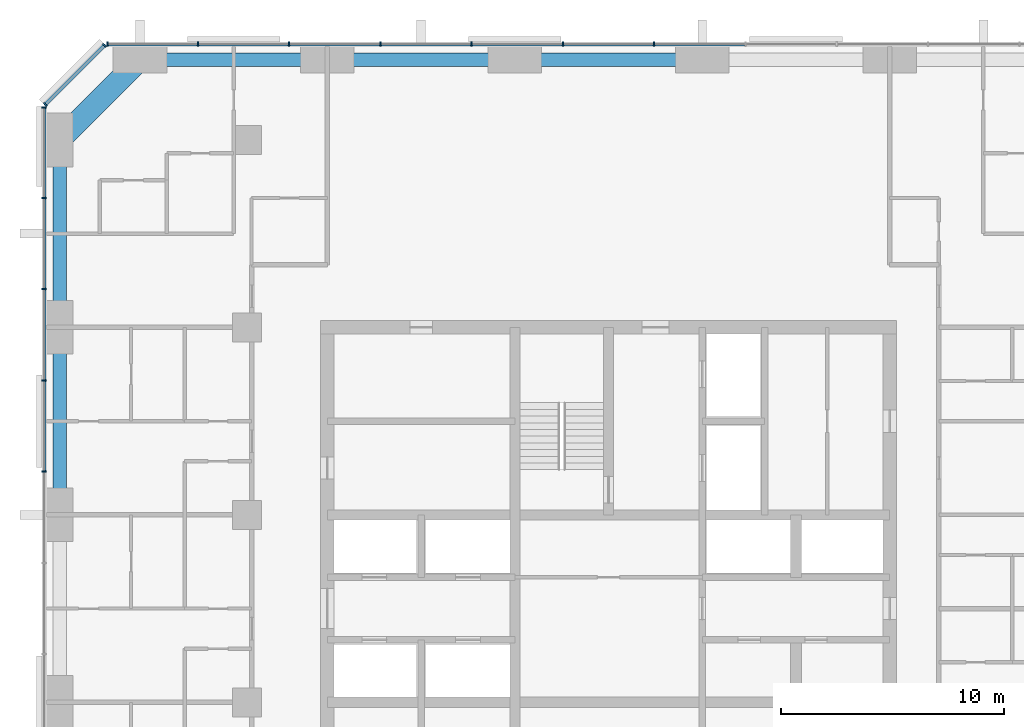
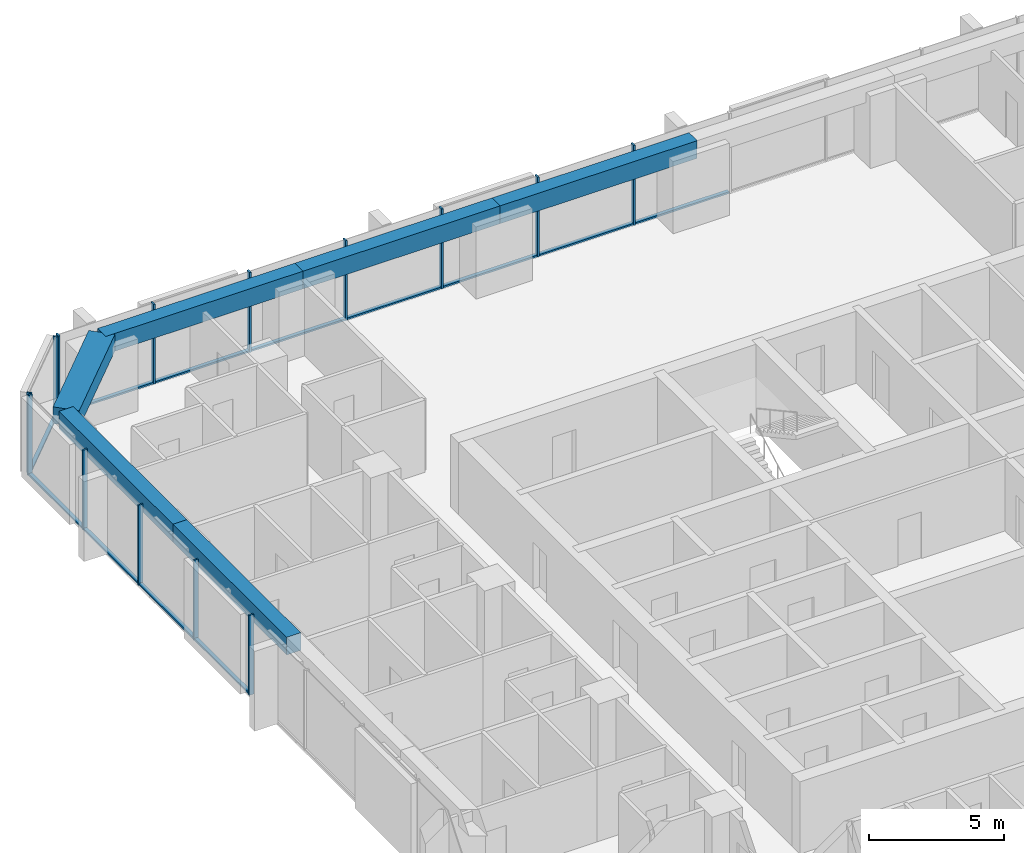
# One storey, part 5 of 14: 26 members, 6 beams, 3 elements without a shape of their own.
"""IFC4 building model written with IfcOpenShell, lengths in metres."""

from ifc_helpers import new_model, si_unit, direction, frame, origin, origin_2d, place, context, subcontext, project, spatial, rectangle, extrude, material, material_profile, profile_set, type_object, element, aggregate, save


model = new_model("IFC4")

# Units and contexts
model_context = context("Model", 3, precision=1e-05, world=origin(), true_north=direction((0.0, 1.0)))
body_context = subcontext(model_context, "Body", "Model", "MODEL_VIEW")
ifc_project = project(units=[si_unit("LENGTHUNIT", "METRE"), si_unit("AREAUNIT", "SQUARE_METRE"), si_unit("VOLUMEUNIT", "CUBIC_METRE"), si_unit("PLANEANGLEUNIT", "RADIAN"), si_unit("MASSUNIT", "GRAM", prefix="KILO")], contexts=[model_context])

# Site, building, storey
site_placement = place(None, origin())
site = spatial("IfcSite", under=ifc_project, at=site_placement, CompositionType="ELEMENT")
building_placement = place(site_placement, origin())
building = spatial("IfcBuilding", under=site, at=building_placement, Name="Dunama Terrace Hotel", CompositionType="ELEMENT")
storey_placement = place(building_placement, frame((0.0, 0.0, 198.60009765625)))
storey = spatial("IfcBuildingStorey", under=building, at=storey_placement, Name="L51", CompositionType="ELEMENT", Elevation=198.60009765625)

# Curtain wall, members
ifc_material_1 = material(Name="Aluminium curtain wall system", Category="aluminium")
curtain_wall_type = type_object("IfcCurtainWallType", Name="Unitised fritted glass wall CW-C", PredefinedType="NOTDEFINED", material=ifc_material_1)
curtain_wall_1_placement = place(storey_placement, origin())
curtain_wall_1 = element("IfcCurtainWall", 1, at=curtain_wall_1_placement, inside=storey, type_object=curtain_wall_type, Name="Unitised fritted glass wall CW-C L51", PredefinedType="NOTDEFINED")
ifc_material_2 = material(Name="Aluminium mullion", Category="aluminium")
ifc_material_profile_1 = material_profile(ifc_material_2, rectangle(XDim=0.070068359375, YDim=0.199951171875, at=origin_2d()), Name="CWC MULLION 70X200")
ifc_profile_set_1 = profile_set([ifc_material_profile_1], Name="Aluminium mullion")
member_type_1 = type_object("IfcMemberType", Name="CWC mullion 70x200", PredefinedType="MULLION", material=ifc_profile_set_1)
member_1_placement = place(storey_placement, frame((31.445068359375, 54.699951171875, 0.0), z_axis=(0.0, 0.0, 1.0), x_axis=(-1.0, 0.0, 0.0)))
member_1 = element("IfcMember", 2, at=member_1_placement, type_object=member_type_1, Name="CWC mullion", PredefinedType="MULLION", context=body_context, shape_type="SweptSolid", body=[
    extrude(rectangle(XDim=0.070068359375, YDim=0.199951171875, at=origin_2d()), origin(), (0.0, 0.0, 1.0), 3.599853515625),
])
member_2_placement = place(storey_placement, frame((27.35498046875, 54.699951171875, 0.0), z_axis=(0.0, 0.0, 1.0), x_axis=(-1.0, 0.0, 0.0)))
member_2 = element("IfcMember", 3, at=member_2_placement, type_object=member_type_1, Name="CWC mullion", PredefinedType="MULLION", context=body_context, shape_type="SweptSolid", body=[
    extrude(rectangle(XDim=0.070068359375, YDim=0.199951171875, at=origin_2d()), origin(), (0.0, 0.0, 1.0), 3.599853515625),
])
member_3_placement = place(storey_placement, frame((23.263916015625, 54.699951171875, 0.0), z_axis=(0.0, 0.0, 1.0), x_axis=(-1.0, 0.0, 0.0)))
member_3 = element("IfcMember", 4, at=member_3_placement, type_object=member_type_1, Name="CWC mullion", PredefinedType="MULLION", context=body_context, shape_type="SweptSolid", body=[
    extrude(rectangle(XDim=0.070068359375, YDim=0.199951171875, at=origin_2d()), origin(), (0.0, 0.0, 1.0), 3.599853515625),
])
member_4_placement = place(storey_placement, frame((19.173095703125, 54.699951171875, 0.0), z_axis=(0.0, 0.0, 1.0), x_axis=(-1.0, 0.0, 0.0)))
member_4 = element("IfcMember", 5, at=member_4_placement, type_object=member_type_1, Name="CWC mullion", PredefinedType="MULLION", context=body_context, shape_type="SweptSolid", body=[
    extrude(rectangle(XDim=0.070068359375, YDim=0.199951171875, at=origin_2d()), origin(), (0.0, 0.0, 1.0), 3.599853515625),
])
member_5_placement = place(storey_placement, frame((15.08203125, 54.699951171875, 0.0), z_axis=(0.0, 0.0, 1.0), x_axis=(-1.0, 0.0, 0.0)))
member_5 = element("IfcMember", 6, at=member_5_placement, type_object=member_type_1, Name="CWC mullion", PredefinedType="MULLION", context=body_context, shape_type="SweptSolid", body=[
    extrude(rectangle(XDim=0.070068359375, YDim=0.199951171875, at=origin_2d()), origin(), (0.0, 0.0, 1.0), 3.599853515625),
])
member_6_placement = place(storey_placement, frame((10.990966796875, 54.699951171875, 0.0), z_axis=(0.0, 0.0, 1.0), x_axis=(-1.0, 0.0, 0.0)))
member_6 = element("IfcMember", 7, at=member_6_placement, type_object=member_type_1, Name="CWC mullion", PredefinedType="MULLION", context=body_context, shape_type="SweptSolid", body=[
    extrude(rectangle(XDim=0.070068359375, YDim=0.199951171875, at=origin_2d()), origin(), (0.0, 0.0, 1.0), 3.599853515625),
])
member_7_placement = place(storey_placement, frame((6.93505859375, 54.699951171875, 0.0), z_axis=(0.0, 0.0, 1.0), x_axis=(-1.0, 0.0, 0.0)))
member_7 = element("IfcMember", 8, at=member_7_placement, type_object=member_type_1, Name="CWC mullion", PredefinedType="MULLION", context=body_context, shape_type="SweptSolid", body=[
    extrude(rectangle(XDim=0.070068359375, YDim=0.199951171875, at=origin_2d()), origin(), (0.0, 0.0, 1.0), 3.599853515625),
])

curtain_wall_2_placement = place(storey_placement, origin())
curtain_wall_2 = element("IfcCurtainWall", 9, at=curtain_wall_2_placement, inside=storey, type_object=curtain_wall_type, Name="Unitised fritted glass wall CW-C L51", PredefinedType="NOTDEFINED")
member_8_placement = place(storey_placement, frame((6.804931640625, 54.64599609375, 0.0), z_axis=(0.0, 0.0, 1.0), x_axis=(-0.707106781187, -0.707106781187, 0.0)))
member_8 = element("IfcMember", 10, at=member_8_placement, type_object=member_type_1, Name="CWC mullion", PredefinedType="MULLION", context=body_context, shape_type="SweptSolid", body=[
    extrude(rectangle(XDim=0.070068359375, YDim=0.199951171875, at=origin_2d()), origin(), (0.0, 0.0, 1.0), 3.599853515625),
])
member_9_placement = place(storey_placement, frame((4.154052734375, 51.9951171875, 0.0), z_axis=(0.0, 0.0, 1.0), x_axis=(-0.707106781187, -0.707106781187, 0.0)))
member_9 = element("IfcMember", 11, at=member_9_placement, type_object=member_type_1, Name="CWC mullion", PredefinedType="MULLION", context=body_context, shape_type="SweptSolid", body=[
    extrude(rectangle(XDim=0.070068359375, YDim=0.199951171875, at=origin_2d()), origin(), (0.0, 0.0, 1.0), 3.599853515625),
])

curtain_wall_3_placement = place(storey_placement, origin())
curtain_wall_3 = element("IfcCurtainWall", 12, at=curtain_wall_3_placement, inside=storey, type_object=curtain_wall_type, Name="Unitised fritted glass wall CW-C L51", PredefinedType="NOTDEFINED")
member_10_placement = place(storey_placement, frame((4.10009765625, 51.864990234375, 0.0), z_axis=(0.0, 0.0, 1.0), x_axis=(0.0, -1.0, 0.0)))
member_10 = element("IfcMember", 13, at=member_10_placement, type_object=member_type_1, Name="CWC mullion", PredefinedType="MULLION", context=body_context, shape_type="SweptSolid", body=[
    extrude(rectangle(XDim=0.070068359375, YDim=0.199951171875, at=origin_2d()), origin(), (0.0, 0.0, 1.0), 3.599853515625),
])
member_11_placement = place(storey_placement, frame((4.10009765625, 47.80908203125, 0.0), z_axis=(0.0, 0.0, 1.0), x_axis=(0.0, -1.0, 0.0)))
member_11 = element("IfcMember", 14, at=member_11_placement, type_object=member_type_1, Name="CWC mullion", PredefinedType="MULLION", context=body_context, shape_type="SweptSolid", body=[
    extrude(rectangle(XDim=0.070068359375, YDim=0.199951171875, at=origin_2d()), origin(), (0.0, 0.0, 1.0), 3.599853515625),
])
member_12_placement = place(storey_placement, frame((4.10009765625, 43.718017578125, 0.0), z_axis=(0.0, 0.0, 1.0), x_axis=(0.0, -1.0, 0.0)))
member_12 = element("IfcMember", 15, at=member_12_placement, type_object=member_type_1, Name="CWC mullion", PredefinedType="MULLION", context=body_context, shape_type="SweptSolid", body=[
    extrude(rectangle(XDim=0.070068359375, YDim=0.199951171875, at=origin_2d()), origin(), (0.0, 0.0, 1.0), 3.599853515625),
])
member_13_placement = place(storey_placement, frame((4.10009765625, 39.626953125, 0.0), z_axis=(0.0, 0.0, 1.0), x_axis=(0.0, -1.0, 0.0)))
member_13 = element("IfcMember", 16, at=member_13_placement, type_object=member_type_1, Name="CWC mullion", PredefinedType="MULLION", context=body_context, shape_type="SweptSolid", body=[
    extrude(rectangle(XDim=0.070068359375, YDim=0.199951171875, at=origin_2d()), origin(), (0.0, 0.0, 1.0), 3.599853515625),
])
member_14_placement = place(storey_placement, frame((4.10009765625, 35.535888671875, 0.0), z_axis=(0.0, 0.0, 1.0), x_axis=(0.0, -1.0, 0.0)))
member_14 = element("IfcMember", 17, at=member_14_placement, type_object=member_type_1, Name="CWC mullion", PredefinedType="MULLION", context=body_context, shape_type="SweptSolid", body=[
    extrude(rectangle(XDim=0.070068359375, YDim=0.199951171875, at=origin_2d()), origin(), (0.0, 0.0, 1.0), 3.599853515625),
])

# Member
ifc_material_3 = material(Name="Aluminium transom", Category="aluminium")
ifc_material_profile_2 = material_profile(ifc_material_3, rectangle(XDim=0.159912109375, YDim=0.080078125, at=origin_2d()), Name="CWC TRANSOM 160X80")
ifc_profile_set_2 = profile_set([ifc_material_profile_2], Name="Aluminium transom")
member_type_2 = type_object("IfcMemberType", Name="CWC transom 160x80", PredefinedType="USERDEFINED", material=ifc_profile_set_2)
member_15_placement = place(storey_placement, frame((35.5009765625, 54.699951171875, 0.039794921875), z_axis=(-1.0, 0.0, 0.0), x_axis=(0.0, -1.0, 0.0)))
member_15 = element("IfcMember", 18, at=member_15_placement, type_object=member_type_2, Name="CWC transom", ObjectType="TRANSOM", PredefinedType="USERDEFINED", context=body_context, shape_type="SweptSolid", body=[
    extrude(rectangle(XDim=0.159912109375, YDim=0.080078125, at=origin_2d()), origin(), (0.0, 0.0, 1.0), 4.02099609375),
])

member_16_placement = place(storey_placement, frame((31.409912109375, 54.699951171875, 0.039794921875), z_axis=(-1.0, 0.0, 0.0), x_axis=(0.0, -1.0, 0.0)))
member_16 = element("IfcMember", 19, at=member_16_placement, type_object=member_type_2, Name="CWC transom", ObjectType="TRANSOM", PredefinedType="USERDEFINED", context=body_context, shape_type="SweptSolid", body=[
    extrude(rectangle(XDim=0.159912109375, YDim=0.080078125, at=origin_2d()), origin(), (0.0, 0.0, 1.0), 4.02001953125),
])

member_17_placement = place(storey_placement, frame((27.320068359375, 54.699951171875, 0.039794921875), z_axis=(-1.0, 0.0, 0.0), x_axis=(0.0, -1.0, 0.0)))
member_17 = element("IfcMember", 20, at=member_17_placement, type_object=member_type_2, Name="CWC transom", ObjectType="TRANSOM", PredefinedType="USERDEFINED", context=body_context, shape_type="SweptSolid", body=[
    extrude(rectangle(XDim=0.159912109375, YDim=0.080078125, at=origin_2d()), origin(), (0.0, 0.0, 1.0), 4.02099609375),
])

member_18_placement = place(storey_placement, frame((23.22900390625, 54.699951171875, 0.039794921875), z_axis=(-1.0, 0.0, 0.0), x_axis=(0.0, -1.0, 0.0)))
member_18 = element("IfcMember", 21, at=member_18_placement, type_object=member_type_2, Name="CWC transom", ObjectType="TRANSOM", PredefinedType="USERDEFINED", context=body_context, shape_type="SweptSolid", body=[
    extrude(rectangle(XDim=0.159912109375, YDim=0.080078125, at=origin_2d()), origin(), (0.0, 0.0, 1.0), 4.02099609375),
])

member_19_placement = place(storey_placement, frame((19.137939453125, 54.699951171875, 0.039794921875), z_axis=(-1.0, 0.0, 0.0), x_axis=(0.0, -1.0, 0.0)))
member_19 = element("IfcMember", 22, at=member_19_placement, type_object=member_type_2, Name="CWC transom", ObjectType="TRANSOM", PredefinedType="USERDEFINED", context=body_context, shape_type="SweptSolid", body=[
    extrude(rectangle(XDim=0.159912109375, YDim=0.080078125, at=origin_2d()), origin(), (0.0, 0.0, 1.0), 4.02099609375),
])

member_20_placement = place(storey_placement, frame((15.047119140625, 54.699951171875, 0.039794921875), z_axis=(-1.0, 0.0, 0.0), x_axis=(0.0, -1.0, 0.0)))
member_20 = element("IfcMember", 23, at=member_20_placement, type_object=member_type_2, Name="CWC transom", ObjectType="TRANSOM", PredefinedType="USERDEFINED", context=body_context, shape_type="SweptSolid", body=[
    extrude(rectangle(XDim=0.159912109375, YDim=0.080078125, at=origin_2d()), origin(), (0.0, 0.0, 1.0), 4.021240234375),
])

member_21_placement = place(storey_placement, frame((10.9560546875, 54.699951171875, 0.039794921875), z_axis=(-1.0, 0.0, 0.0), x_axis=(0.0, -1.0, 0.0)))
member_21 = element("IfcMember", 24, at=member_21_placement, type_object=member_type_2, Name="CWC transom", ObjectType="TRANSOM", PredefinedType="USERDEFINED", context=body_context, shape_type="SweptSolid", body=[
    extrude(rectangle(XDim=0.159912109375, YDim=0.080078125, at=origin_2d()), origin(), (0.0, 0.0, 1.0), 3.986083984375),
])

aggregate(curtain_wall_1, [member_1, member_2, member_3, member_4, member_5, member_6, member_7, member_15, member_16, member_17, member_18, member_19, member_20, member_21])

member_22_placement = place(storey_placement, frame((6.780029296875, 54.62109375, 0.039794921875), z_axis=(-0.707106781187, -0.707106781187, 0.0), x_axis=(0.707106781187, -0.707106781187, 0.0)))
member_22 = element("IfcMember", 25, at=member_22_placement, type_object=member_type_2, Name="CWC transom", ObjectType="TRANSOM", PredefinedType="USERDEFINED", context=body_context, shape_type="SweptSolid", body=[
    extrude(rectangle(XDim=0.159912109375, YDim=0.080078125, at=origin_2d()), origin(), (0.0, 0.0, 1.0), 3.678466796875),
])

aggregate(curtain_wall_2, [member_8, member_9, member_22])

member_23_placement = place(storey_placement, frame((4.10009765625, 51.830078125, 0.039794921875), z_axis=(0.0, -1.0, 0.0), x_axis=(1.0, 0.0, 0.0)))
member_23 = element("IfcMember", 26, at=member_23_placement, type_object=member_type_2, Name="CWC transom", ObjectType="TRANSOM", PredefinedType="USERDEFINED", context=body_context, shape_type="SweptSolid", body=[
    extrude(rectangle(XDim=0.159912109375, YDim=0.080078125, at=origin_2d()), origin(), (0.0, 0.0, 1.0), 3.986083984375),
])

member_24_placement = place(storey_placement, frame((4.10009765625, 47.77392578125, 0.039794921875), z_axis=(0.0, -1.0, 0.0), x_axis=(1.0, 0.0, 0.0)))
member_24 = element("IfcMember", 27, at=member_24_placement, type_object=member_type_2, Name="CWC transom", ObjectType="TRANSOM", PredefinedType="USERDEFINED", context=body_context, shape_type="SweptSolid", body=[
    extrude(rectangle(XDim=0.159912109375, YDim=0.080078125, at=origin_2d()), origin(), (0.0, 0.0, 1.0), 4.02099609375),
])

member_25_placement = place(storey_placement, frame((4.10009765625, 43.68310546875, 0.039794921875), z_axis=(0.0, -1.0, 0.0), x_axis=(1.0, 0.0, 0.0)))
member_25 = element("IfcMember", 28, at=member_25_placement, type_object=member_type_2, Name="CWC transom", ObjectType="TRANSOM", PredefinedType="USERDEFINED", context=body_context, shape_type="SweptSolid", body=[
    extrude(rectangle(XDim=0.159912109375, YDim=0.080078125, at=origin_2d()), origin(), (0.0, 0.0, 1.0), 4.02099609375),
])

member_26_placement = place(storey_placement, frame((4.10009765625, 39.592041015625, 0.039794921875), z_axis=(0.0, -1.0, 0.0), x_axis=(1.0, 0.0, 0.0)))
member_26 = element("IfcMember", 29, at=member_26_placement, type_object=member_type_2, Name="CWC transom", ObjectType="TRANSOM", PredefinedType="USERDEFINED", context=body_context, shape_type="SweptSolid", body=[
    extrude(rectangle(XDim=0.159912109375, YDim=0.080078125, at=origin_2d()), origin(), (0.0, 0.0, 1.0), 4.02099609375),
])

aggregate(curtain_wall_3, [member_10, member_11, member_12, member_13, member_14, member_23, member_24, member_25, member_26])

# Beams
ifc_material_4 = material(Name="Concrete C50/60", Category="concrete")
ifc_material_profile_3 = material_profile(ifc_material_4, rectangle(XDim=1.0, YDim=0.75, at=origin_2d()), Name="RC 1000x750")
ifc_profile_set_3 = profile_set([ifc_material_profile_3], Name="Concrete C50/60")
beam_type_1 = type_object("IfcBeamType", Name="Edge beam RC 1000x750", PredefinedType="SPANDREL", material=ifc_profile_set_3)
beam_1_placement = place(storey_placement, frame((8.39990234375, 54.0, 3.224853515625), z_axis=(-0.707082803744, -0.707130757816, 0.0), x_axis=(0.707130757816, -0.707082803744, 0.0)))
element("IfcBeam", 30, at=beam_1_placement, inside=storey, type_object=beam_type_1, Name="Corner edge beam under L52", PredefinedType="SPANDREL", context=body_context, shape_type="SweptSolid", body=[
    extrude(rectangle(XDim=1.0, YDim=0.75, at=origin_2d()), origin(), (0.0, 0.0, 1.0), 5.091064453125),
])
ifc_material_5 = material(Name="Concrete C40/50", Category="concrete")
ifc_material_profile_4 = material_profile(ifc_material_5, rectangle(XDim=0.60009765625, YDim=0.800048828125, at=origin_2d()), Name="RC 600x800")
ifc_profile_set_4 = profile_set([ifc_material_profile_4], Name="Concrete C40/50")
beam_type_2 = type_object("IfcBeamType", Name="Edge beam RC 600x800", PredefinedType="SPANDREL", material=ifc_profile_set_4)
for number, where, z_axis, x_axis, name in (
    (31, (4.800048828125, 33.60009765625, 3.199951171875), (0.0, 1.0, 0.0), (-1.0, 0.0, 0.0), "Edge beam under L52"),
    (32, (4.800048828125, 42.0, 3.199951171875), (0.0, 1.0, 0.0), (-1.0, 0.0, 0.0), "Edge beam under L52"),
):
    element("IfcBeam", number, at=place(storey_placement, frame(where, z_axis=z_axis, x_axis=x_axis)), inside=storey, type_object=beam_type_2, Name=name, PredefinedType="SPANDREL", context=body_context, shape_type="SweptSolid", body=[
        extrude(rectangle(XDim=0.60009765625, YDim=0.800048828125, at=origin_2d()), origin(), (0.0, 0.0, 1.0), 8.39990234375),
    ])
beam_2_placement = place(storey_placement, frame((8.39990234375, 54.0, 3.199951171875), z_axis=(1.0, 0.0, 0.0), x_axis=(0.0, 1.0, 0.0)))
element("IfcBeam", 33, at=beam_2_placement, inside=storey, type_object=beam_type_2, Name="Edge beam under L52", PredefinedType="SPANDREL", context=body_context, shape_type="SweptSolid", body=[
    extrude(rectangle(XDim=0.60009765625, YDim=0.800048828125, at=origin_2d()), origin(), (0.0, 0.0, 1.0), 8.400146484375),
])
beam_3_placement = place(storey_placement, frame((16.800048828125, 54.0, 3.199951171875), z_axis=(1.0, 0.0, 0.0), x_axis=(0.0, 1.0, 0.0)))
element("IfcBeam", 34, at=beam_3_placement, inside=storey, type_object=beam_type_2, Name="Edge beam under L52", PredefinedType="SPANDREL", context=body_context, shape_type="SweptSolid", body=[
    extrude(rectangle(XDim=0.60009765625, YDim=0.800048828125, at=origin_2d()), origin(), (0.0, 0.0, 1.0), 8.39990234375),
])
beam_4_placement = place(storey_placement, frame((25.199951171875, 54.0, 3.199951171875), z_axis=(1.0, 0.0, 0.0), x_axis=(0.0, 1.0, 0.0)))
element("IfcBeam", 35, at=beam_4_placement, inside=storey, type_object=beam_type_2, Name="Edge beam under L52", PredefinedType="SPANDREL", context=body_context, shape_type="SweptSolid", body=[
    extrude(rectangle(XDim=0.60009765625, YDim=0.800048828125, at=origin_2d()), origin(), (0.0, 0.0, 1.0), 8.400146484375),
])

save(model, "model.ifc")
